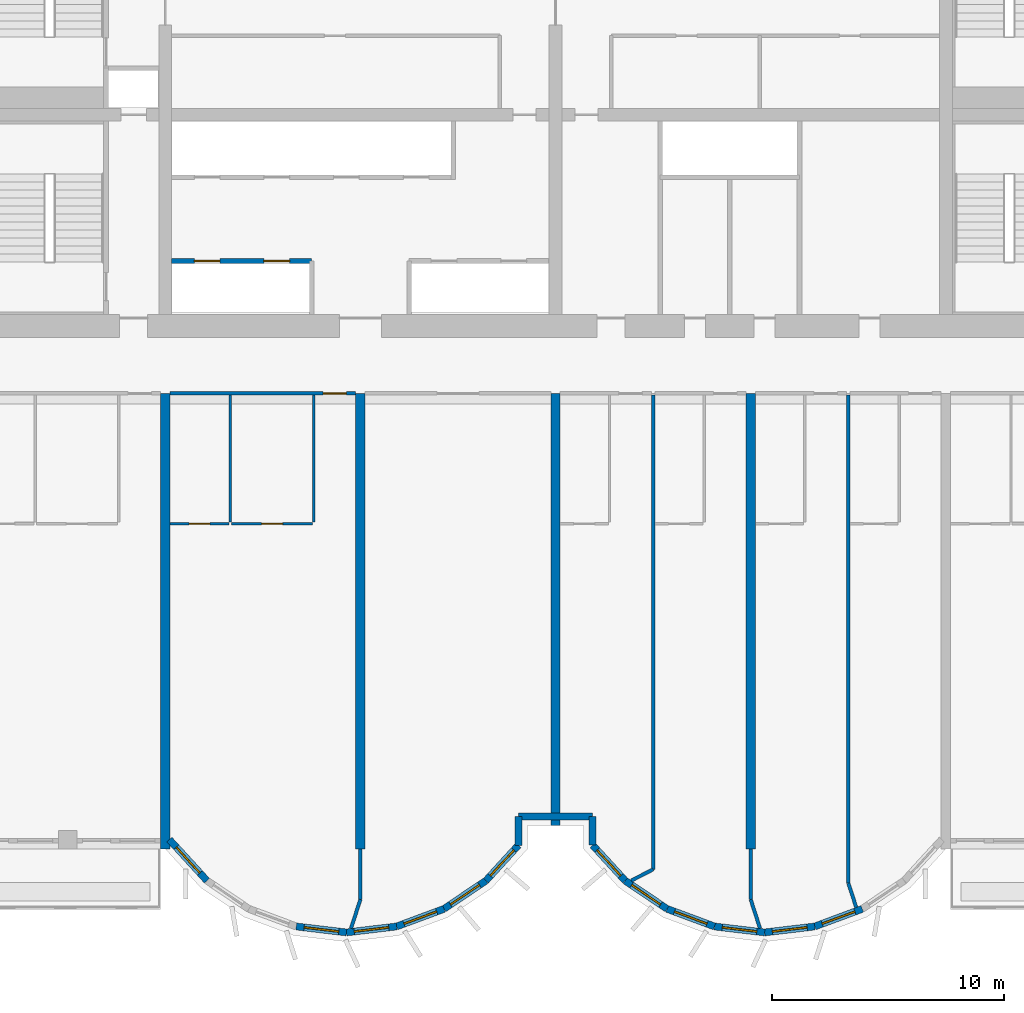
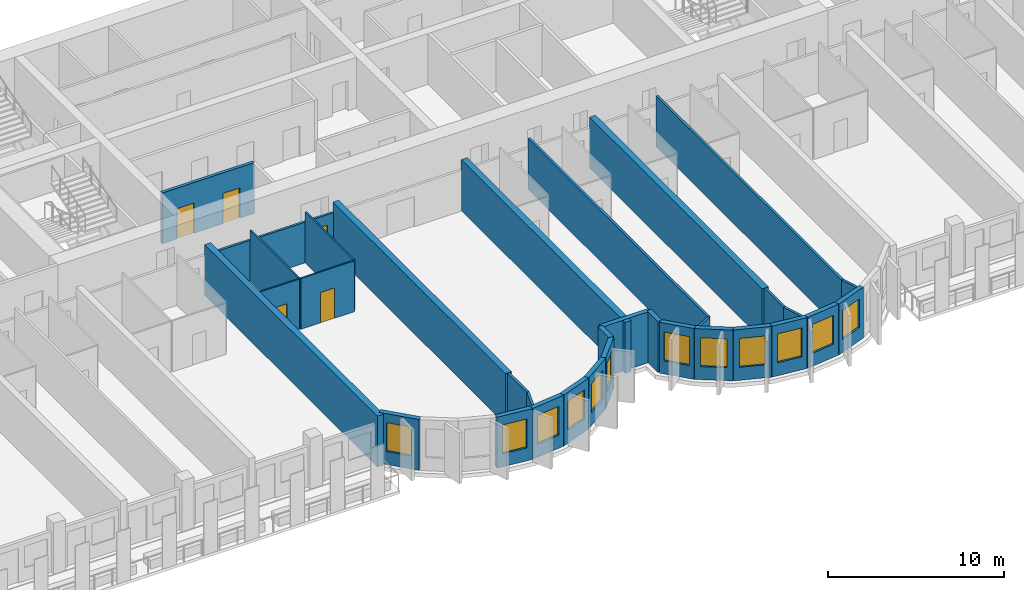
# One storey, part 4 of 14: 33 walls, 12 windows, 5 doors, 17 openings.
"""IFC4 building model written with IfcOpenShell, lengths in metres."""

from ifc_helpers import new_model, si_unit, direction, frame, frame_2d, origin, place, context, subcontext, project, spatial, rectangle, extrude, source, transform, mapped, material, layer, layer_set, type_object, element, fill, save


model = new_model("IFC4")

# Units and contexts
model_context = context("Model", 3, precision=1e-05, world=origin(), true_north=direction((0.0, 1.0)))
body_context = subcontext(model_context, "Body", "Model", "MODEL_VIEW")
ifc_project = project(units=[si_unit("LENGTHUNIT", "METRE"), si_unit("AREAUNIT", "SQUARE_METRE"), si_unit("VOLUMEUNIT", "CUBIC_METRE"), si_unit("PLANEANGLEUNIT", "RADIAN"), si_unit("MASSUNIT", "GRAM", prefix="KILO")], contexts=[model_context])

# Site, building, storey
site_placement = place(None, origin())
site = spatial("IfcSite", under=ifc_project, at=site_placement, CompositionType="ELEMENT")
building_placement = place(site_placement, origin())
building = spatial("IfcBuilding", under=site, at=building_placement, Name="Vanashikhar Sky Hotel", CompositionType="ELEMENT")
storey_placement = place(building_placement, frame((0.0, 0.0, 50.60009765625)))
storey = spatial("IfcBuildingStorey", under=building, at=storey_placement, Name="L11", CompositionType="ELEMENT", Elevation=50.60009765625)

# Walls
ifc_material_1 = material(Name="Concrete M80", Category="concrete")
ifc_layer_1 = layer(ifc_material_1, 0.39990234375)
ifc_layer_set_1 = layer_set([ifc_layer_1], Name="RC shear wall 400 Concrete M80")
wall_type_1 = type_object("IfcWallType", Name="RC shear wall 400 Concrete M80", PredefinedType="SHEAR", material=ifc_layer_set_1)
shared_shape_1 = source(origin(), body_context, "Body", "SweptSolid", [
    extrude(rectangle(XDim=19.60009765625, YDim=0.39990234375, at=frame_2d((9.800048828125, 0.0))), origin(), (0.0, 0.0, 1.0), 3.52001953125),
])
for number, where, z_axis, x_axis, name in (
    (1, (33.60009765625, 0.0, 0.0), (0.0, 0.0, 1.0), (0.0, 1.0, 0.0), "CW-L11-XW05-1"),
    (2, (42.0, 0.0, 0.0), (0.0, 0.0, 1.0), (0.0, 1.0, 0.0), "CW-L11-XW06-1"),
    (3, (58.800048828125, 0.0, 0.0), (0.0, 0.0, 1.0), (0.0, 1.0, 0.0), "CW-L11-XW08-1"),
):
    element("IfcWall", number, at=place(storey_placement, frame(where, z_axis=z_axis, x_axis=x_axis)), inside=storey, type_object=wall_type_1, Name=name, PredefinedType="SHEAR", context=body_context, shape_type="MappedRepresentation", body=[
        mapped(shared_shape_1, transform((0.0, 0.0, 0.0), scale=1.0)),
    ])
shared_shape_2 = source(origin(), body_context, "Body", "SweptSolid", [
    extrude(rectangle(XDim=18.60009765625, YDim=0.39990234375, at=frame_2d((9.300048828125, 0.0))), origin(), (0.0, 0.0, 1.0), 3.52001953125),
])
wall_1_placement = place(storey_placement, frame((50.39990234375, 1.0, 0.0), z_axis=(0.0, 0.0, 1.0), x_axis=(0.0, 1.0, 0.0)))
element("IfcWall", 4, at=wall_1_placement, inside=storey, type_object=wall_type_1, Name="CW-L11-XW07-1", PredefinedType="SHEAR", context=body_context, shape_type="MappedRepresentation", body=[
    mapped(shared_shape_2, transform((0.0, 0.0, 0.0), scale=1.0)),
])

# Wall, opening, window
ifc_material_2 = material(Name="Concrete M50", Category="concrete")
ifc_layer_2 = layer(ifc_material_2, 0.300048828125)
ifc_layer_set_2 = layer_set([ifc_layer_2], Name="Lobe wall 300")
wall_type_2 = type_object("IfcWallType", Name="Lobe wall 300", PredefinedType="SOLIDWALL", material=ifc_layer_set_2)
shared_shape_3 = source(origin(), body_context, "Body", "SweptSolid", [
    extrude(rectangle(XDim=2.398193359375, YDim=0.300048828125, at=frame_2d((1.19921875, 0.0))), origin(), (0.0, 0.0, 1.0), 3.52001953125),
])
wall_2_placement = place(storey_placement, frame((33.776123046875, 0.39990234375, 0.0), z_axis=(0.0, 0.0, 1.0), x_axis=(0.675374189419, -0.737475222815, 0.0)))
wall_2 = element("IfcWall", 5, at=wall_2_placement, inside=storey, type_object=wall_type_2, Name="Lobe wall", PredefinedType="SOLIDWALL", context=body_context, shape_type="MappedRepresentation", body=[
    mapped(shared_shape_3, transform((0.0, 0.0, 0.0), scale=1.0)),
])
shared_shape_4 = source(origin(), body_context, "Body", "SweptSolid", [
    extrude(rectangle(XDim=1.5, YDim=2.0, at=frame_2d((0.75, 1.0))), frame((0.0, 0.16015625, 0.0), z_axis=(0.0, -1.0, 0.0), x_axis=(1.0, 0.0, 0.0)), (0.0, 0.0, 1.0), 0.320068359375),
])
opening_1_placement = place(wall_2_placement, frame((0.44921875, 0.0, 0.89990234375)))
opening_1 = element("IfcOpeningElement", 6, at=opening_1_placement, cuts=wall_2, Name="Opening WN-2", PredefinedType="OPENING", context=body_context, shape_type="MappedRepresentation", body=[
    mapped(shared_shape_4, transform((0.0, 0.0, 0.0), scale=1.0)),
])
ifc_material_3 = material(Name="Glass", Category="glass")
window_type = type_object("IfcWindowType", Name="Lobe window 1500 x 2000", PartitioningType="SINGLE_PANEL", PredefinedType="WINDOW", material=ifc_material_3)
shared_shape_5 = source(origin(), body_context, "Body", "SweptSolid", [
    extrude(rectangle(XDim=1.5, YDim=2.0, at=frame_2d((0.75, 1.0))), frame((0.0, 0.030029296875, 0.0), z_axis=(0.0, -1.0, 0.0), x_axis=(1.0, 0.0, 0.0)), (0.0, 0.0, 1.0), 0.06005859375),
])
window_1_placement = place(opening_1_placement, origin())
window_1 = element("IfcWindow", 7, at=window_1_placement, inside=storey, type_object=window_type, Name="Window WN-2", OverallHeight=2.0, OverallWidth=1.5, PartitioningType="SINGLE_PANEL", PredefinedType="WINDOW", context=body_context, shape_type="MappedRepresentation", body=[
    mapped(shared_shape_5, transform((0.0, 0.0, 0.0), scale=1.0)),
])
fill(opening_1, window_1)

shared_shape_6 = source(origin(), body_context, "Body", "SweptSolid", [
    extrude(rectangle(XDim=2.17578125, YDim=0.300048828125, at=frame_2d((1.087890625, 0.0))), origin(), (0.0, 0.0, 1.0), 3.52001953125),
])
wall_3_placement = place(storey_placement, frame((45.59912109375, -2.58349609375, 0.0), z_axis=(0.0, 0.0, 1.0), x_axis=(0.829625727223, 0.558319937607, 0.0)))
wall_3 = element("IfcWall", 8, at=wall_3_placement, inside=storey, type_object=wall_type_2, Name="Lobe wall", PredefinedType="SOLIDWALL", context=body_context, shape_type="MappedRepresentation", body=[
    mapped(shared_shape_6, transform((0.0, 0.0, 0.0), scale=1.0)),
])
opening_2_placement = place(wall_3_placement, frame((0.337890625, 0.0, 0.89990234375)))
opening_2 = element("IfcOpeningElement", 9, at=opening_2_placement, cuts=wall_3, Name="Opening WN-2", PredefinedType="OPENING", context=body_context, shape_type="MappedRepresentation", body=[
    mapped(shared_shape_4, transform((0.0, 0.0, 0.0), scale=1.0)),
])
window_2_placement = place(opening_2_placement, origin())
window_2 = element("IfcWindow", 10, at=window_2_placement, inside=storey, type_object=window_type, Name="Window WN-2", OverallHeight=2.0, OverallWidth=1.5, PartitioningType="SINGLE_PANEL", PredefinedType="WINDOW", context=body_context, shape_type="MappedRepresentation", body=[
    mapped(shared_shape_5, transform((0.0, 0.0, 0.0), scale=1.0)),
])
fill(opening_2, window_2)

wall_4_placement = place(storey_placement, frame((53.395751953125, -1.36865234375, 0.0), z_axis=(0.0, 0.0, 1.0), x_axis=(0.829590746428, -0.558371913192, 0.0)))
wall_4 = element("IfcWall", 11, at=wall_4_placement, inside=storey, type_object=wall_type_2, Name="Lobe wall", PredefinedType="SOLIDWALL", context=body_context, shape_type="MappedRepresentation", body=[
    mapped(shared_shape_6, transform((0.0, 0.0, 0.0), scale=1.0)),
])
opening_3_placement = place(wall_4_placement, frame((0.337890625, 0.0, 0.89990234375)))
opening_3 = element("IfcOpeningElement", 12, at=opening_3_placement, cuts=wall_4, Name="Opening WN-2", PredefinedType="OPENING", context=body_context, shape_type="MappedRepresentation", body=[
    mapped(shared_shape_4, transform((0.0, 0.0, 0.0), scale=1.0)),
])
window_3_placement = place(opening_3_placement, origin())
window_3 = element("IfcWindow", 13, at=window_3_placement, inside=storey, type_object=window_type, Name="Window WN-2", OverallHeight=2.0, OverallWidth=1.5, PartitioningType="SINGLE_PANEL", PredefinedType="WINDOW", context=body_context, shape_type="MappedRepresentation", body=[
    mapped(shared_shape_5, transform((0.0, 0.0, 0.0), scale=1.0)),
])
fill(opening_3, window_3)

wall_5_placement = place(storey_placement, frame((55.20068359375, -2.58349609375, 0.0), z_axis=(0.0, 0.0, 1.0), x_axis=(0.93754555999, -0.347862505801, 0.0)))
wall_5 = element("IfcWall", 14, at=wall_5_placement, inside=storey, type_object=wall_type_2, Name="Lobe wall", PredefinedType="SOLIDWALL", context=body_context, shape_type="MappedRepresentation", body=[
    mapped(shared_shape_6, transform((0.0, 0.0, 0.0), scale=1.0)),
])
opening_4_placement = place(wall_5_placement, frame((0.337890625, 0.0, 0.89990234375)))
opening_4 = element("IfcOpeningElement", 15, at=opening_4_placement, cuts=wall_5, Name="Opening WN-2", PredefinedType="OPENING", context=body_context, shape_type="MappedRepresentation", body=[
    mapped(shared_shape_4, transform((0.0, 0.0, 0.0), scale=1.0)),
])
window_4_placement = place(opening_4_placement, origin())
window_4 = element("IfcWindow", 16, at=window_4_placement, inside=storey, type_object=window_type, Name="Window WN-2", OverallHeight=2.0, OverallWidth=1.5, PartitioningType="SINGLE_PANEL", PredefinedType="WINDOW", context=body_context, shape_type="MappedRepresentation", body=[
    mapped(shared_shape_5, transform((0.0, 0.0, 0.0), scale=1.0)),
])
fill(opening_4, window_4)

shared_shape_7 = source(origin(), body_context, "Body", "SweptSolid", [
    extrude(rectangle(XDim=2.174560546875, YDim=0.300048828125, at=frame_2d((1.08740234375, 0.0))), origin(), (0.0, 0.0, 1.0), 3.52001953125),
])
wall_6_placement = place(storey_placement, frame((39.240478515625, -3.34033203125, 0.0), z_axis=(0.0, 0.0, 1.0), x_axis=(0.993001132889, -0.118104826659, 0.0)))
wall_6 = element("IfcWall", 17, at=wall_6_placement, inside=storey, type_object=wall_type_2, Name="Lobe wall", PredefinedType="SOLIDWALL", context=body_context, shape_type="MappedRepresentation", body=[
    mapped(shared_shape_7, transform((0.0, 0.0, 0.0), scale=1.0)),
])
opening_5_placement = place(wall_6_placement, frame((0.33740234375, 0.0, 0.89990234375)))
opening_5 = element("IfcOpeningElement", 18, at=opening_5_placement, cuts=wall_6, Name="Opening WN-2", PredefinedType="OPENING", context=body_context, shape_type="MappedRepresentation", body=[
    mapped(shared_shape_4, transform((0.0, 0.0, 0.0), scale=1.0)),
])
window_5_placement = place(opening_5_placement, origin())
window_5 = element("IfcWindow", 19, at=window_5_placement, inside=storey, type_object=window_type, Name="Window WN-2", OverallHeight=2.0, OverallWidth=1.5, PartitioningType="SINGLE_PANEL", PredefinedType="WINDOW", context=body_context, shape_type="MappedRepresentation", body=[
    mapped(shared_shape_5, transform((0.0, 0.0, 0.0), scale=1.0)),
])
fill(opening_5, window_5)

wall_7_placement = place(storey_placement, frame((57.240478515625, -3.34033203125, 0.0), z_axis=(0.0, 0.0, 1.0), x_axis=(0.993001132889, -0.118104826659, 0.0)))
wall_7 = element("IfcWall", 20, at=wall_7_placement, inside=storey, type_object=wall_type_2, Name="Lobe wall", PredefinedType="SOLIDWALL", context=body_context, shape_type="MappedRepresentation", body=[
    mapped(shared_shape_7, transform((0.0, 0.0, 0.0), scale=1.0)),
])
opening_6_placement = place(wall_7_placement, frame((0.33740234375, 0.0, 0.89990234375)))
opening_6 = element("IfcOpeningElement", 21, at=opening_6_placement, cuts=wall_7, Name="Opening WN-2", PredefinedType="OPENING", context=body_context, shape_type="MappedRepresentation", body=[
    mapped(shared_shape_4, transform((0.0, 0.0, 0.0), scale=1.0)),
])
window_6_placement = place(opening_6_placement, origin())
window_6 = element("IfcWindow", 22, at=window_6_placement, inside=storey, type_object=window_type, Name="Window WN-2", OverallHeight=2.0, OverallWidth=1.5, PartitioningType="SINGLE_PANEL", PredefinedType="WINDOW", context=body_context, shape_type="MappedRepresentation", body=[
    mapped(shared_shape_5, transform((0.0, 0.0, 0.0), scale=1.0)),
])
fill(opening_6, window_6)

shared_shape_8 = source(origin(), body_context, "Body", "SweptSolid", [
    extrude(rectangle(XDim=2.1748046875, YDim=0.300048828125, at=frame_2d((1.08740234375, 0.0))), origin(), (0.0, 0.0, 1.0), 3.52001953125),
])
wall_8_placement = place(storey_placement, frame((41.39990234375, -3.59716796875, 0.0), z_axis=(0.0, 0.0, 1.0), x_axis=(0.993002698611, 0.118091661648, 0.0)))
wall_8 = element("IfcWall", 23, at=wall_8_placement, inside=storey, type_object=wall_type_2, Name="Lobe wall", PredefinedType="SOLIDWALL", context=body_context, shape_type="MappedRepresentation", body=[
    mapped(shared_shape_8, transform((0.0, 0.0, 0.0), scale=1.0)),
])
opening_7_placement = place(wall_8_placement, frame((0.33740234375, 0.0, 0.89990234375)))
opening_7 = element("IfcOpeningElement", 24, at=opening_7_placement, cuts=wall_8, Name="Opening WN-2", PredefinedType="OPENING", context=body_context, shape_type="MappedRepresentation", body=[
    mapped(shared_shape_4, transform((0.0, 0.0, 0.0), scale=1.0)),
])
window_7_placement = place(opening_7_placement, origin())
window_7 = element("IfcWindow", 25, at=window_7_placement, inside=storey, type_object=window_type, Name="Window WN-2", OverallHeight=2.0, OverallWidth=1.5, PartitioningType="SINGLE_PANEL", PredefinedType="WINDOW", context=body_context, shape_type="MappedRepresentation", body=[
    mapped(shared_shape_5, transform((0.0, 0.0, 0.0), scale=1.0)),
])
fill(opening_7, window_7)

wall_9_placement = place(storey_placement, frame((59.39990234375, -3.59716796875, 0.0), z_axis=(0.0, 0.0, 1.0), x_axis=(0.993002698611, 0.118091661648, 0.0)))
wall_9 = element("IfcWall", 26, at=wall_9_placement, inside=storey, type_object=wall_type_2, Name="Lobe wall", PredefinedType="SOLIDWALL", context=body_context, shape_type="MappedRepresentation", body=[
    mapped(shared_shape_8, transform((0.0, 0.0, 0.0), scale=1.0)),
])
opening_8_placement = place(wall_9_placement, frame((0.33740234375, 0.0, 0.89990234375)))
opening_8 = element("IfcOpeningElement", 27, at=opening_8_placement, cuts=wall_9, Name="Opening WN-2", PredefinedType="OPENING", context=body_context, shape_type="MappedRepresentation", body=[
    mapped(shared_shape_4, transform((0.0, 0.0, 0.0), scale=1.0)),
])
window_8_placement = place(opening_8_placement, origin())
window_8 = element("IfcWindow", 28, at=window_8_placement, inside=storey, type_object=window_type, Name="Window WN-2", OverallHeight=2.0, OverallWidth=1.5, PartitioningType="SINGLE_PANEL", PredefinedType="WINDOW", context=body_context, shape_type="MappedRepresentation", body=[
    mapped(shared_shape_5, transform((0.0, 0.0, 0.0), scale=1.0)),
])
fill(opening_8, window_8)

shared_shape_9 = source(origin(), body_context, "Body", "SweptSolid", [
    extrude(rectangle(XDim=2.175537109375, YDim=0.300048828125, at=frame_2d((1.087890625, 0.0))), origin(), (0.0, 0.0, 1.0), 3.52001953125),
])
wall_10_placement = place(storey_placement, frame((43.5595703125, -3.34033203125, 0.0), z_axis=(0.0, 0.0, 1.0), x_axis=(0.937531979054, 0.347899106424, 0.0)))
wall_10 = element("IfcWall", 29, at=wall_10_placement, inside=storey, type_object=wall_type_2, Name="Lobe wall", PredefinedType="SOLIDWALL", context=body_context, shape_type="MappedRepresentation", body=[
    mapped(shared_shape_9, transform((0.0, 0.0, 0.0), scale=1.0)),
])
opening_9_placement = place(wall_10_placement, frame((0.337890625, 0.0, 0.89990234375)))
opening_9 = element("IfcOpeningElement", 30, at=opening_9_placement, cuts=wall_10, Name="Opening WN-2", PredefinedType="OPENING", context=body_context, shape_type="MappedRepresentation", body=[
    mapped(shared_shape_4, transform((0.0, 0.0, 0.0), scale=1.0)),
])
window_9_placement = place(opening_9_placement, origin())
window_9 = element("IfcWindow", 31, at=window_9_placement, inside=storey, type_object=window_type, Name="Window WN-2", OverallHeight=2.0, OverallWidth=1.5, PartitioningType="SINGLE_PANEL", PredefinedType="WINDOW", context=body_context, shape_type="MappedRepresentation", body=[
    mapped(shared_shape_5, transform((0.0, 0.0, 0.0), scale=1.0)),
])
fill(opening_9, window_9)

wall_11_placement = place(storey_placement, frame((61.5595703125, -3.34033203125, 0.0), z_axis=(0.0, 0.0, 1.0), x_axis=(0.937531979054, 0.347899106424, 0.0)))
wall_11 = element("IfcWall", 32, at=wall_11_placement, inside=storey, type_object=wall_type_2, Name="Lobe wall", PredefinedType="SOLIDWALL", context=body_context, shape_type="MappedRepresentation", body=[
    mapped(shared_shape_9, transform((0.0, 0.0, 0.0), scale=1.0)),
])
opening_10_placement = place(wall_11_placement, frame((0.337890625, 0.0, 0.89990234375)))
opening_10 = element("IfcOpeningElement", 33, at=opening_10_placement, cuts=wall_11, Name="Opening WN-2", PredefinedType="OPENING", context=body_context, shape_type="MappedRepresentation", body=[
    mapped(shared_shape_4, transform((0.0, 0.0, 0.0), scale=1.0)),
])
window_10_placement = place(opening_10_placement, origin())
window_10 = element("IfcWindow", 34, at=window_10_placement, inside=storey, type_object=window_type, Name="Window WN-2", OverallHeight=2.0, OverallWidth=1.5, PartitioningType="SINGLE_PANEL", PredefinedType="WINDOW", context=body_context, shape_type="MappedRepresentation", body=[
    mapped(shared_shape_5, transform((0.0, 0.0, 0.0), scale=1.0)),
])
fill(opening_10, window_10)

shared_shape_10 = source(origin(), body_context, "Body", "SweptSolid", [
    extrude(rectangle(XDim=2.066650390625, YDim=0.300048828125, at=frame_2d((1.033203125, 0.0))), origin(), (0.0, 0.0, 1.0), 3.52001953125),
])
wall_12_placement = place(storey_placement, frame((47.404296875, -1.36865234375, 0.0), z_axis=(0.0, 0.0, 1.0), x_axis=(0.675355439877, 0.737492393065, 0.0)))
wall_12 = element("IfcWall", 35, at=wall_12_placement, inside=storey, type_object=wall_type_2, Name="Lobe wall", PredefinedType="SOLIDWALL", context=body_context, shape_type="MappedRepresentation", body=[
    mapped(shared_shape_10, transform((0.0, 0.0, 0.0), scale=1.0)),
])
opening_11_placement = place(wall_12_placement, frame((0.283447265625, 0.0, 0.89990234375)))
opening_11 = element("IfcOpeningElement", 36, at=opening_11_placement, cuts=wall_12, Name="Opening WN-2", PredefinedType="OPENING", context=body_context, shape_type="MappedRepresentation", body=[
    mapped(shared_shape_4, transform((0.0, 0.0, 0.0), scale=1.0)),
])
window_11_placement = place(opening_11_placement, origin())
window_11 = element("IfcWindow", 37, at=window_11_placement, inside=storey, type_object=window_type, Name="Window WN-2", OverallHeight=2.0, OverallWidth=1.5, PartitioningType="SINGLE_PANEL", PredefinedType="WINDOW", context=body_context, shape_type="MappedRepresentation", body=[
    mapped(shared_shape_5, transform((0.0, 0.0, 0.0), scale=1.0)),
])
fill(opening_11, window_11)

wall_13_placement = place(storey_placement, frame((52.0, 0.155517578125, 0.0), z_axis=(0.0, 0.0, 1.0), x_axis=(0.675355439877, -0.737492393065, 0.0)))
wall_13 = element("IfcWall", 38, at=wall_13_placement, inside=storey, type_object=wall_type_2, Name="Lobe wall", PredefinedType="SOLIDWALL", context=body_context, shape_type="MappedRepresentation", body=[
    mapped(shared_shape_10, transform((0.0, 0.0, 0.0), scale=1.0)),
])
opening_12_placement = place(wall_13_placement, frame((0.283447265625, 0.0, 0.89990234375)))
opening_12 = element("IfcOpeningElement", 39, at=opening_12_placement, cuts=wall_13, Name="Opening WN-2", PredefinedType="OPENING", context=body_context, shape_type="MappedRepresentation", body=[
    mapped(shared_shape_4, transform((0.0, 0.0, 0.0), scale=1.0)),
])
window_12_placement = place(opening_12_placement, origin())
window_12 = element("IfcWindow", 40, at=window_12_placement, inside=storey, type_object=window_type, Name="Window WN-2", OverallHeight=2.0, OverallWidth=1.5, PartitioningType="SINGLE_PANEL", PredefinedType="WINDOW", context=body_context, shape_type="MappedRepresentation", body=[
    mapped(shared_shape_5, transform((0.0, 0.0, 0.0), scale=1.0)),
])
fill(opening_12, window_12)

# Walls
shared_shape_11 = source(origin(), body_context, "Body", "SweptSolid", [
    extrude(rectangle(XDim=1.244384765625, YDim=0.300048828125, at=frame_2d((0.6220703125, 0.0))), origin(), (0.0, 0.0, 1.0), 3.52001953125),
])
for number, where, z_axis, x_axis, name in (
    (41, (48.800048828125, 0.155517578125, 0.0), (0.0, 0.0, 1.0), (0.0, 1.0, 0.0), "Groove wall"),
    (42, (52.0, 1.39990234375, 0.0), (0.0, 0.0, 1.0), (0.0, -1.0, 0.0), "Groove wall"),
):
    element("IfcWall", number, at=place(storey_placement, frame(where, z_axis=z_axis, x_axis=x_axis)), inside=storey, type_object=wall_type_2, Name=name, PredefinedType="SOLIDWALL", context=body_context, shape_type="MappedRepresentation", body=[
        mapped(shared_shape_11, transform((0.0, 0.0, 0.0), scale=1.0)),
    ])
shared_shape_12 = source(origin(), body_context, "Body", "SweptSolid", [
    extrude(rectangle(XDim=3.199951171875, YDim=0.300048828125, at=frame_2d((1.60009765625, 0.0))), origin(), (0.0, 0.0, 1.0), 3.52001953125),
])
wall_14_placement = place(storey_placement, frame((48.800048828125, 1.39990234375, 0.0), z_axis=(0.0, 0.0, 1.0), x_axis=(1.0, 0.0, 0.0)))
element("IfcWall", 43, at=wall_14_placement, inside=storey, type_object=wall_type_2, Name="Groove wall", PredefinedType="SOLIDWALL", context=body_context, shape_type="MappedRepresentation", body=[
    mapped(shared_shape_12, transform((0.0, 0.0, 0.0), scale=1.0)),
])

# Wall, openings, doors
ifc_material_4 = material(Name="Concrete M40", Category="concrete")
ifc_layer_3 = layer(ifc_material_4, 0.199951171875)
ifc_layer_set_3 = layer_set([ifc_layer_3], Name="Shaft wall 200")
wall_type_3 = type_object("IfcWallType", Name="Shaft wall 200", PredefinedType="SOLIDWALL", material=ifc_layer_set_3)
shared_shape_13 = source(origin(), body_context, "Body", "SweptSolid", [
    extrude(rectangle(XDim=6.02490234375, YDim=0.199951171875, at=frame_2d((3.012451171875, 0.0))), origin(), (0.0, 0.0, 1.0), 3.52001953125),
])
wall_15_placement = place(storey_placement, frame((33.875, 25.300048828125, 0.0), z_axis=(0.0, 0.0, 1.0), x_axis=(1.0, 0.0, 0.0)))
wall_15 = element("IfcWall", 44, at=wall_15_placement, inside=storey, type_object=wall_type_3, Name="Shaft wall 200", PredefinedType="SOLIDWALL", context=body_context, shape_type="MappedRepresentation", body=[
    mapped(shared_shape_13, transform((0.0, 0.0, 0.0), scale=1.0)),
])
shared_shape_14 = source(origin(), body_context, "Body", "SweptSolid", [
    extrude(rectangle(XDim=1.10009765625, YDim=2.10009765625, at=frame_2d((0.550048828125, 1.050048828125))), frame((0.0, 0.10986328125, 0.0), z_axis=(0.0, -1.0, 0.0), x_axis=(1.0, 0.0, 0.0)), (0.0, 0.0, 1.0), 0.219970703125),
])
opening_13_placement = place(wall_15_placement, frame((0.97509765625, 0.0, 0.0)))
opening_13 = element("IfcOpeningElement", 45, at=opening_13_placement, cuts=wall_15, Name="Opening LD", PredefinedType="OPENING", context=body_context, shape_type="MappedRepresentation", body=[
    mapped(shared_shape_14, transform((0.0, 0.0, 0.0), scale=1.0)),
])
opening_14_placement = place(wall_15_placement, frame((3.97509765625, 0.0, 0.0)))
opening_14 = element("IfcOpeningElement", 46, at=opening_14_placement, cuts=wall_15, Name="Opening LD", PredefinedType="OPENING", context=body_context, shape_type="MappedRepresentation", body=[
    mapped(shared_shape_14, transform((0.0, 0.0, 0.0), scale=1.0)),
])
ifc_material_5 = material(Name="Stainless steel", Category="steel")
door_type_1 = type_object("IfcDoorType", Name="Lift landing door 1100", OperationType="NOTDEFINED", PredefinedType="DOOR", material=ifc_material_5)
shared_shape_15 = source(origin(), body_context, "Body", "SweptSolid", [
    extrude(rectangle(XDim=1.10009765625, YDim=2.10009765625, at=frame_2d((0.550048828125, 1.050048828125))), frame((0.0, 0.02490234375, 0.0), z_axis=(0.0, -1.0, 0.0), x_axis=(1.0, 0.0, 0.0)), (0.0, 0.0, 1.0), 0.050048828125),
])
door_1_placement = place(opening_13_placement, origin())
door_1 = element("IfcDoor", 47, at=door_1_placement, inside=storey, type_object=door_type_1, Name="Lift landing door 1100", OperationType="SLIDING_TO_LEFT", OverallHeight=2.10009765625, OverallWidth=1.10009765625, PredefinedType="DOOR", context=body_context, shape_type="MappedRepresentation", body=[
    mapped(shared_shape_15, transform((0.0, 0.0, 0.0), scale=1.0)),
])
fill(opening_13, door_1)
door_2_placement = place(opening_14_placement, origin())
door_2 = element("IfcDoor", 48, at=door_2_placement, inside=storey, type_object=door_type_1, Name="Lift landing door 1100", OperationType="SLIDING_TO_RIGHT", OverallHeight=2.10009765625, OverallWidth=1.10009765625, PredefinedType="DOOR", context=body_context, shape_type="MappedRepresentation", body=[
    mapped(shared_shape_15, transform((0.0, 0.0, 0.0), scale=1.0)),
])
fill(opening_14, door_2)

# Walls
ifc_material_6 = material(Name="Gypsum plasterboard partition")
ifc_layer_4 = layer(ifc_material_6, 0.14990234375)
ifc_layer_set_4 = layer_set([ifc_layer_4], Name="Corridor and demising partition 150")
wall_type_4 = type_object("IfcWallType", Name="Corridor and demising partition 150", PredefinedType="PARTITIONING", material=ifc_layer_set_4)
shared_shape_16 = source(origin(), body_context, "Body", "SweptSolid", [
    extrude(rectangle(XDim=20.997802734375, YDim=0.14990234375, at=frame_2d((10.4990234375, 0.0))), origin(), (0.0, 0.0, 1.0), 3.52001953125),
])
wall_16_placement = place(storey_placement, frame((63.0, -1.472900390625, 0.0), z_axis=(0.0, 0.0, 1.0), x_axis=(0.0, 1.0, 0.0)))
element("IfcWall", 49, at=wall_16_placement, inside=storey, type_object=wall_type_4, Name="W-L11-PW044", PredefinedType="PARTITIONING", context=body_context, shape_type="MappedRepresentation", body=[
    mapped(shared_shape_16, transform((0.0, 0.0, 0.0), scale=1.0)),
])
shared_shape_17 = source(origin(), body_context, "Body", "SweptSolid", [
    extrude(rectangle(XDim=20.406005859375, YDim=0.14990234375, at=frame_2d((10.203125, 0.0))), origin(), (0.0, 0.0, 1.0), 3.52001953125),
])
wall_17_placement = place(storey_placement, frame((54.60009765625, -0.881103515625, 0.0), z_axis=(0.0, 0.0, 1.0), x_axis=(0.0, 1.0, 0.0)))
element("IfcWall", 50, at=wall_17_placement, inside=storey, type_object=wall_type_4, Name="W-L11-PW037", PredefinedType="PARTITIONING", context=body_context, shape_type="MappedRepresentation", body=[
    mapped(shared_shape_17, transform((0.0, 0.0, 0.0), scale=1.0)),
])
shared_shape_18 = source(origin(), body_context, "Body", "SweptSolid", [
    extrude(rectangle(XDim=2.177978515625, YDim=0.14990234375, at=frame_2d((1.0888671875, 0.0))), origin(), (0.0, 0.0, 1.0), 3.52001953125),
])
for number, where, z_axis, x_axis, name in (
    (51, (42.0, -2.177978515625, 0.0), (0.0, 0.0, 1.0), (0.0, 1.0, 0.0), "W-L11-PW071"),
    (52, (58.800048828125, -2.177978515625, 0.0), (0.0, 0.0, 1.0), (0.0, 1.0, 0.0), "W-L11-PW072"),
):
    element("IfcWall", number, at=place(storey_placement, frame(where, z_axis=z_axis, x_axis=x_axis)), inside=storey, type_object=wall_type_4, Name=name, PredefinedType="PARTITIONING", context=body_context, shape_type="MappedRepresentation", body=[
        mapped(shared_shape_18, transform((0.0, 0.0, 0.0), scale=1.0)),
    ])

# Wall, opening, door
ifc_layer_5 = layer(ifc_material_6, 0.10009765625)
ifc_layer_set_5 = layer_set([ifc_layer_5], Name="Wet room partition 100")
wall_type_5 = type_object("IfcWallType", Name="Wet room partition 100", PredefinedType="PARTITIONING", material=ifc_layer_set_5)
shared_shape_19 = source(origin(), body_context, "Body", "SweptSolid", [
    extrude(rectangle(XDim=3.5, YDim=0.10009765625, at=frame_2d((1.75, 0.0))), origin(), (0.0, 0.0, 1.0), 3.52001953125),
])
wall_18_placement = place(storey_placement, frame((36.449951171875, 14.0, 0.0), z_axis=(0.0, 0.0, 1.0), x_axis=(1.0, 0.0, 0.0)))
wall_18 = element("IfcWall", 53, at=wall_18_placement, inside=storey, type_object=wall_type_5, Name="W-L11-PW027", PredefinedType="PARTITIONING", context=body_context, shape_type="MappedRepresentation", body=[
    mapped(shared_shape_19, transform((0.0, 0.0, 0.0), scale=1.0)),
])
shared_shape_20 = source(origin(), body_context, "Body", "SweptSolid", [
    extrude(rectangle(XDim=0.89990234375, YDim=2.10009765625, at=frame_2d((0.449951171875, 1.050048828125))), frame((0.0, 0.06005859375, 0.0), z_axis=(0.0, -1.0, 0.0), x_axis=(1.0, 0.0, 0.0)), (0.0, 0.0, 1.0), 0.1201171875),
])
opening_15_placement = place(wall_18_placement, frame((1.300048828125, 0.0, 0.0)))
opening_15 = element("IfcOpeningElement", 54, at=opening_15_placement, cuts=wall_18, Name="Opening D-02", PredefinedType="OPENING", context=body_context, shape_type="MappedRepresentation", body=[
    mapped(shared_shape_20, transform((0.0, 0.0, 0.0), scale=1.0)),
])
ifc_material_7 = material(Name="Timber door", Category="wood")
door_type_2 = type_object("IfcDoorType", Name="Internal door 900", OperationType="NOTDEFINED", PredefinedType="DOOR", material=ifc_material_7)
shared_shape_21 = source(origin(), body_context, "Body", "SweptSolid", [
    extrude(rectangle(XDim=0.89990234375, YDim=2.10009765625, at=frame_2d((0.449951171875, 1.050048828125))), frame((0.0, 0.02490234375, 0.0), z_axis=(0.0, -1.0, 0.0), x_axis=(1.0, 0.0, 0.0)), (0.0, 0.0, 1.0), 0.050048828125),
])
door_3_placement = place(opening_15_placement, origin())
door_3 = element("IfcDoor", 55, at=door_3_placement, inside=storey, type_object=door_type_2, Name="D-L11-015", OperationType="SINGLE_SWING_RIGHT", OverallHeight=2.10009765625, OverallWidth=0.89990234375, PredefinedType="DOOR", context=body_context, shape_type="MappedRepresentation", body=[
    mapped(shared_shape_21, transform((0.0, 0.0, 0.0), scale=1.0)),
])
fill(opening_15, door_3)

# Walls
shared_shape_22 = source(origin(), body_context, "Body", "SweptSolid", [
    extrude(rectangle(XDim=1.100830078125, YDim=0.14990234375, at=frame_2d((0.55029296875, 0.0))), origin(), (0.0, 0.0, 1.0), 3.52001953125),
])
wall_19_placement = place(storey_placement, frame((63.343017578125, -2.51904296875, 0.0), z_axis=(0.0, 0.0, 1.0), x_axis=(-0.311567081539, 0.950224159712, 0.0)))
element("IfcWall", 56, at=wall_19_placement, inside=storey, type_object=wall_type_4, Name="W-L11-PW044B0", PredefinedType="PARTITIONING", context=body_context, shape_type="MappedRepresentation", body=[
    mapped(shared_shape_22, transform((0.0, 0.0, 0.0), scale=1.0)),
])
shared_shape_23 = source(origin(), body_context, "Body", "SweptSolid", [
    extrude(rectangle(XDim=1.057861328125, YDim=0.14990234375, at=frame_2d((0.52880859375, 0.0))), origin(), (0.0, 0.0, 1.0), 3.52001953125),
])
wall_20_placement = place(storey_placement, frame((53.659912109375, -1.365966796875, 0.0), z_axis=(0.0, 0.0, 1.0), x_axis=(0.888772319209, 0.458348955063, 0.0)))
element("IfcWall", 57, at=wall_20_placement, inside=storey, type_object=wall_type_4, Name="W-L11-PW037B0", PredefinedType="PARTITIONING", context=body_context, shape_type="MappedRepresentation", body=[
    mapped(shared_shape_23, transform((0.0, 0.0, 0.0), scale=1.0)),
])
shared_shape_24 = source(origin(), body_context, "Body", "SweptSolid", [
    extrude(rectangle(XDim=1.308349609375, YDim=0.14990234375, at=frame_2d((0.654296875, 0.0))), origin(), (0.0, 0.0, 1.0), 3.52001953125),
])
for number, where, z_axis, x_axis, name in (
    (58, (41.597900390625, -3.423095703125, 0.0), (0.0, 0.0, 1.0), (0.307313512187, 0.951608325535, 0.0), "W-L11-PW071B0"),
    (59, (59.201904296875, -3.423095703125, 0.0), (0.0, 0.0, 1.0), (-0.307144529633, 0.951662880392, 0.0), "W-L11-PW072B0"),
):
    element("IfcWall", number, at=place(storey_placement, frame(where, z_axis=z_axis, x_axis=x_axis)), inside=storey, type_object=wall_type_4, Name=name, PredefinedType="PARTITIONING", context=body_context, shape_type="MappedRepresentation", body=[
        mapped(shared_shape_24, transform((0.0, 0.0, 0.0), scale=1.0)),
    ])

# Wall, opening, door
shared_shape_25 = source(origin(), body_context, "Body", "SweptSolid", [
    extrude(rectangle(XDim=2.550048828125, YDim=0.10009765625, at=frame_2d((1.27490234375, 0.0))), origin(), (0.0, 0.0, 1.0), 3.52001953125),
])
wall_21_placement = place(storey_placement, frame((33.800048828125, 14.0, 0.0), z_axis=(0.0, 0.0, 1.0), x_axis=(1.0, 0.0, 0.0)))
wall_21 = element("IfcWall", 60, at=wall_21_placement, inside=storey, type_object=wall_type_5, Name="W-L11-PW028", PredefinedType="PARTITIONING", context=body_context, shape_type="MappedRepresentation", body=[
    mapped(shared_shape_25, transform((0.0, 0.0, 0.0), scale=1.0)),
])
opening_16_placement = place(wall_21_placement, frame((0.824951171875, 0.0, 0.0)))
opening_16 = element("IfcOpeningElement", 61, at=opening_16_placement, cuts=wall_21, Name="Opening D-02", PredefinedType="OPENING", context=body_context, shape_type="MappedRepresentation", body=[
    mapped(shared_shape_20, transform((0.0, 0.0, 0.0), scale=1.0)),
])
door_4_placement = place(opening_16_placement, origin())
door_4 = element("IfcDoor", 62, at=door_4_placement, inside=storey, type_object=door_type_2, Name="D-L11-016", OperationType="SINGLE_SWING_RIGHT", OverallHeight=2.10009765625, OverallWidth=0.89990234375, PredefinedType="DOOR", context=body_context, shape_type="MappedRepresentation", body=[
    mapped(shared_shape_21, transform((0.0, 0.0, 0.0), scale=1.0)),
])
fill(opening_16, door_4)

# Walls
shared_shape_26 = source(origin(), body_context, "Body", "SweptSolid", [
    extrude(rectangle(XDim=5.449951171875, YDim=0.10009765625, at=frame_2d((2.72509765625, 0.0))), origin(), (0.0, 0.0, 1.0), 3.52001953125),
])
for number, where, z_axis, x_axis, name in (
    (63, (40.0, 14.074951171875, 0.0), (0.0, 0.0, 1.0), (0.0, 1.0, 0.0), "W-L11-PW025"),
    (64, (36.39990234375, 14.074951171875, 0.0), (0.0, 0.0, 1.0), (0.0, 1.0, 0.0), "W-L11-PW026"),
):
    element("IfcWall", number, at=place(storey_placement, frame(where, z_axis=z_axis, x_axis=x_axis)), inside=storey, type_object=wall_type_5, Name=name, PredefinedType="PARTITIONING", context=body_context, shape_type="MappedRepresentation", body=[
        mapped(shared_shape_26, transform((0.0, 0.0, 0.0), scale=1.0)),
    ])

# Wall, opening, door
shared_shape_27 = source(origin(), body_context, "Body", "SweptSolid", [
    extrude(rectangle(XDim=8.0, YDim=0.14990234375, at=frame_2d((4.0, 0.0))), origin(), (0.0, 0.0, 1.0), 2.81982421875),
])
wall_22_placement = place(storey_placement, frame((33.800048828125, 19.60009765625, 0.0), z_axis=(0.0, 0.0, 1.0), x_axis=(1.0, 0.0, 0.0)))
wall_22 = element("IfcWall", 65, at=wall_22_placement, inside=storey, type_object=wall_type_4, Name="W-L11-PW029", PredefinedType="PARTITIONING", context=body_context, shape_type="MappedRepresentation", body=[
    mapped(shared_shape_27, transform((0.0, 0.0, 0.0), scale=1.0)),
])
shared_shape_28 = source(origin(), body_context, "Body", "SweptSolid", [
    extrude(rectangle(XDim=1.0, YDim=2.10009765625, at=frame_2d((0.5, 1.050048828125))), frame((0.0, 0.0849609375, 0.0), z_axis=(0.0, -1.0, 0.0), x_axis=(1.0, 0.0, 0.0)), (0.0, 0.0, 1.0), 0.169921875),
])
opening_17_placement = place(wall_22_placement, frame((6.60009765625, 0.0, 0.0)))
opening_17 = element("IfcOpeningElement", 66, at=opening_17_placement, cuts=wall_22, Name="Opening D-01", PredefinedType="OPENING", context=body_context, shape_type="MappedRepresentation", body=[
    mapped(shared_shape_28, transform((0.0, 0.0, 0.0), scale=1.0)),
])
ifc_material_8 = material(Name="Timber fire door", Category="wood")
door_type_3 = type_object("IfcDoorType", Name="Guest entry door 1000 FD30S", OperationType="NOTDEFINED", PredefinedType="DOOR", material=ifc_material_8)
shared_shape_29 = source(origin(), body_context, "Body", "SweptSolid", [
    extrude(rectangle(XDim=1.0, YDim=2.10009765625, at=frame_2d((0.5, 1.050048828125))), frame((0.0, 0.02490234375, 0.0), z_axis=(0.0, -1.0, 0.0), x_axis=(1.0, 0.0, 0.0)), (0.0, 0.0, 1.0), 0.050048828125),
])
door_5_placement = place(opening_17_placement, origin())
door_5 = element("IfcDoor", 67, at=door_5_placement, inside=storey, type_object=door_type_3, Name="D-L11-017", OperationType="SINGLE_SWING_RIGHT", OverallHeight=2.10009765625, OverallWidth=1.0, PredefinedType="DOOR", context=body_context, shape_type="MappedRepresentation", body=[
    mapped(shared_shape_29, transform((0.0, 0.0, 0.0), scale=1.0)),
])
fill(opening_17, door_5)

save(model, "model.ifc")
